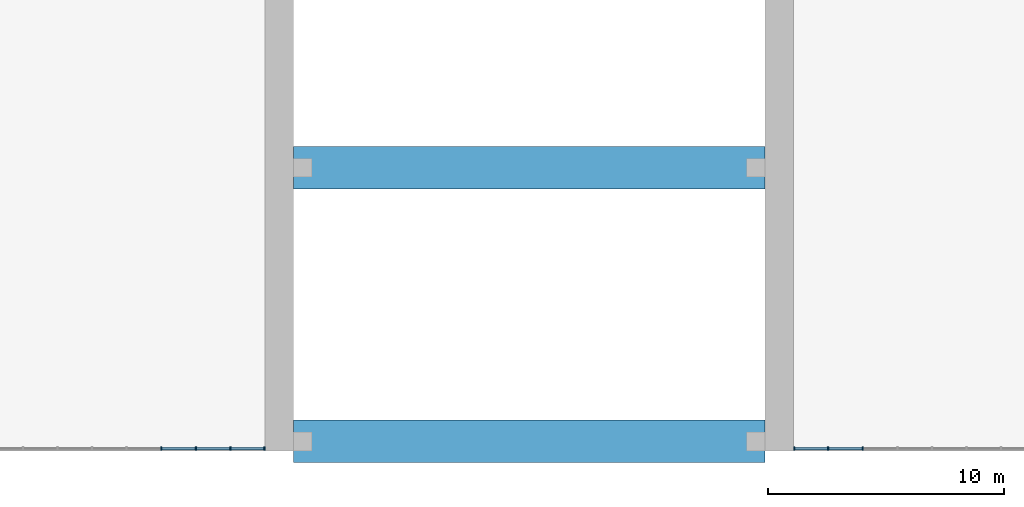
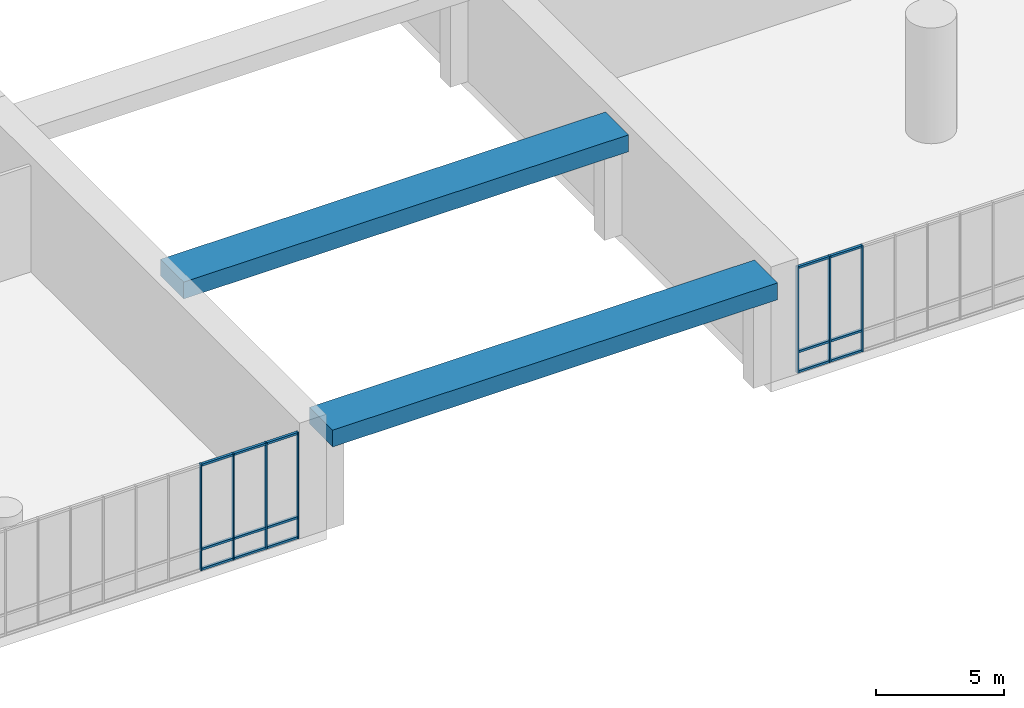
# One storey, part 6 of 30: 22 members, 2 beams, 2 elements without a shape of their own.
"""IFC4 building model written with IfcOpenShell, lengths in metres."""

from ifc_helpers import new_model, si_unit, direction, frame, origin, origin_2d, place, context, subcontext, project, spatial, rectangle, extrude, material, layer, layer_set, material_profile, profile_set, type_object, element, aggregate, save


model = new_model("IFC4")

# Units and contexts
model_context = context("Model", 3, precision=1e-05, world=origin(), true_north=direction((0.0, 1.0)))
body_context = subcontext(model_context, "Body", "Model", "MODEL_VIEW")
ifc_project = project(units=[si_unit("LENGTHUNIT", "METRE"), si_unit("AREAUNIT", "SQUARE_METRE"), si_unit("VOLUMEUNIT", "CUBIC_METRE"), si_unit("PLANEANGLEUNIT", "RADIAN"), si_unit("MASSUNIT", "GRAM", prefix="KILO")], contexts=[model_context])

# Site, building, storey
site_placement = place(None, origin())
site = spatial("IfcSite", under=ifc_project, at=site_placement, CompositionType="ELEMENT")
building_placement = place(site_placement, origin())
building = spatial("IfcBuilding", under=site, at=building_placement, Name="Torana Hotel and Residences", CompositionType="ELEMENT")
storey_placement = place(building_placement, frame((0.0, 0.0, 12.5)))
storey = spatial("IfcBuildingStorey", under=building, at=storey_placement, Name="L02", CompositionType="ELEMENT", Elevation=12.5)

# Beams
ifc_material_1 = material(Name="Concrete C60/75", Category="concrete")
ifc_material_profile_1 = material_profile(ifc_material_1, rectangle(XDim=1.800048828125, YDim=0.800048828125, at=origin_2d()), Name="RC 1800x800")
ifc_profile_set_1 = profile_set([ifc_material_profile_1], Name="Concrete C60/75")
beam_type = type_object("IfcBeamType", Name="ARCH BEAM RC 1800x800 C60/75", PredefinedType="BEAM", material=ifc_profile_set_1)
for number, where, z_axis, x_axis, name in (
    (1, (-10.0, -39.60009765625, 4.64990234375), (1.0, 0.0, 0.0), (0.0, 1.0, 0.0), "Arch beam 1"),
    (2, (-10.0, -28.0, 4.64990234375), (1.0, 0.0, 0.0), (0.0, 1.0, 0.0), "Arch beam 2"),
):
    element("IfcBeam", number, at=place(storey_placement, frame(where, z_axis=z_axis, x_axis=x_axis)), inside=storey, type_object=beam_type, Name=name, PredefinedType="BEAM", context=body_context, shape_type="SweptSolid", body=[
        extrude(rectangle(XDim=1.800048828125, YDim=0.800048828125, at=origin_2d()), origin(), (0.0, 0.0, 1.0), 20.0),
    ])

# Curtain wall, members
ifc_material_2 = material(Name="Dark anodised aluminium", Category="aluminium")
ifc_layer = layer(ifc_material_2, 0.14990234375)
ifc_layer_set = layer_set([ifc_layer], Name="CW5 PODIUM UPPER UNITISED CURTAIN WALL")
curtain_wall_type = type_object("IfcCurtainWallType", Name="CW5 PODIUM UPPER UNITISED CURTAIN WALL", PredefinedType="NOTDEFINED", material=ifc_layer_set)
curtain_wall_1_placement = place(storey_placement, origin())
curtain_wall_1 = element("IfcCurtainWall", 3, at=curtain_wall_1_placement, inside=storey, type_object=curtain_wall_type, Name="Curtain wall CW5 L02 e0.0", PredefinedType="NOTDEFINED")
ifc_material_3 = material(Name="Dark anodised aluminium", Category="aluminium")
ifc_material_profile_2 = material_profile(ifc_material_3, rectangle(XDim=0.14990234375, YDim=0.06005859375, at=origin_2d()), Name="CW5 MULLION 60x150")
ifc_profile_set_2 = profile_set([ifc_material_profile_2], Name="Dark anodised aluminium")
member_type_1 = type_object("IfcMemberType", Name="CW5 MULLION 60x150", PredefinedType="MULLION", material=ifc_profile_set_2)
member_1_placement = place(storey_placement, frame((-15.596435546875, -39.89990234375, 0.0), z_axis=(0.0, 0.0, 1.0), x_axis=(0.0, 1.0, 0.0)))
member_1 = element("IfcMember", 4, at=member_1_placement, type_object=member_type_1, Name="CW5 mullion 19", PredefinedType="MULLION", context=body_context, shape_type="SweptSolid", body=[
    extrude(rectangle(XDim=0.14990234375, YDim=0.06005859375, at=origin_2d()), origin(), (0.0, 0.0, 1.0), 5.050048828125),
])
member_2_placement = place(storey_placement, frame((-14.131103515625, -39.89990234375, 0.0), z_axis=(0.0, 0.0, 1.0), x_axis=(0.0, 1.0, 0.0)))
member_2 = element("IfcMember", 5, at=member_2_placement, type_object=member_type_1, Name="CW5 mullion 20", PredefinedType="MULLION", context=body_context, shape_type="SweptSolid", body=[
    extrude(rectangle(XDim=0.14990234375, YDim=0.06005859375, at=origin_2d()), origin(), (0.0, 0.0, 1.0), 5.050048828125),
])
member_3_placement = place(storey_placement, frame((-12.66552734375, -39.89990234375, 0.0), z_axis=(0.0, 0.0, 1.0), x_axis=(0.0, 1.0, 0.0)))
member_3 = element("IfcMember", 6, at=member_3_placement, type_object=member_type_1, Name="CW5 mullion 21", PredefinedType="MULLION", context=body_context, shape_type="SweptSolid", body=[
    extrude(rectangle(XDim=0.14990234375, YDim=0.06005859375, at=origin_2d()), origin(), (0.0, 0.0, 1.0), 5.050048828125),
])
member_4_placement = place(storey_placement, frame((-11.22998046875, -39.89990234375, 0.0), z_axis=(0.0, 0.0, 1.0), x_axis=(0.0, 1.0, 0.0)))
member_4 = element("IfcMember", 7, at=member_4_placement, type_object=member_type_1, Name="CW5 mullion 22", PredefinedType="MULLION", context=body_context, shape_type="SweptSolid", body=[
    extrude(rectangle(XDim=0.14990234375, YDim=0.06005859375, at=origin_2d()), origin(), (0.0, 0.0, 1.0), 5.050048828125),
])

curtain_wall_2_placement = place(storey_placement, origin())
curtain_wall_2 = element("IfcCurtainWall", 8, at=curtain_wall_2_placement, inside=storey, type_object=curtain_wall_type, Name="Curtain wall CW5 L02 e1.0", PredefinedType="NOTDEFINED")
member_5_placement = place(storey_placement, frame((11.22998046875, -39.89990234375, 0.0), z_axis=(0.0, 0.0, 1.0), x_axis=(0.0, 1.0, 0.0)))
member_5 = element("IfcMember", 9, at=member_5_placement, type_object=member_type_1, Name="CW5 mullion 1", PredefinedType="MULLION", context=body_context, shape_type="SweptSolid", body=[
    extrude(rectangle(XDim=0.14990234375, YDim=0.06005859375, at=origin_2d()), origin(), (0.0, 0.0, 1.0), 5.050048828125),
])
member_6_placement = place(storey_placement, frame((12.66552734375, -39.89990234375, 0.0), z_axis=(0.0, 0.0, 1.0), x_axis=(0.0, 1.0, 0.0)))
member_6 = element("IfcMember", 10, at=member_6_placement, type_object=member_type_1, Name="CW5 mullion 2", PredefinedType="MULLION", context=body_context, shape_type="SweptSolid", body=[
    extrude(rectangle(XDim=0.14990234375, YDim=0.06005859375, at=origin_2d()), origin(), (0.0, 0.0, 1.0), 5.050048828125),
])
member_7_placement = place(storey_placement, frame((14.131103515625, -39.89990234375, 0.0), z_axis=(0.0, 0.0, 1.0), x_axis=(0.0, 1.0, 0.0)))
member_7 = element("IfcMember", 11, at=member_7_placement, type_object=member_type_1, Name="CW5 mullion 3", PredefinedType="MULLION", context=body_context, shape_type="SweptSolid", body=[
    extrude(rectangle(XDim=0.14990234375, YDim=0.06005859375, at=origin_2d()), origin(), (0.0, 0.0, 1.0), 5.050048828125),
])

# Member
ifc_material_4 = material(Name="Dark anodised aluminium", Category="aluminium")
ifc_material_profile_3 = material_profile(ifc_material_4, rectangle(XDim=0.1201171875, YDim=0.10009765625, at=origin_2d()), Name="CW5 TRANSOM 120x100")
ifc_profile_set_3 = profile_set([ifc_material_profile_3], Name="Dark anodised aluminium")
member_type_2 = type_object("IfcMemberType", Name="CW5 TRANSOM 120x100", PredefinedType="USERDEFINED", material=ifc_profile_set_3)
member_8_placement = place(storey_placement, frame((-15.56640625, -39.89990234375, 0.050048828125), z_axis=(1.0, 0.0, 0.0), x_axis=(0.0, 1.0, 0.0)))
member_8 = element("IfcMember", 12, at=member_8_placement, type_object=member_type_2, Name="CW5 transom 19.1", ObjectType="TRANSOM", PredefinedType="USERDEFINED", context=body_context, shape_type="SweptSolid", body=[
    extrude(rectangle(XDim=0.1201171875, YDim=0.10009765625, at=origin_2d()), origin(), (0.0, 0.0, 1.0), 1.405517578125),
])

member_9_placement = place(storey_placement, frame((-15.56640625, -39.89990234375, 1.0), z_axis=(1.0, 0.0, 0.0), x_axis=(0.0, 1.0, 0.0)))
member_9 = element("IfcMember", 13, at=member_9_placement, type_object=member_type_2, Name="CW5 transom 19.2", ObjectType="TRANSOM", PredefinedType="USERDEFINED", context=body_context, shape_type="SweptSolid", body=[
    extrude(rectangle(XDim=0.1201171875, YDim=0.10009765625, at=origin_2d()), origin(), (0.0, 0.0, 1.0), 1.405517578125),
])

member_10_placement = place(storey_placement, frame((-15.56640625, -39.89990234375, 5.0), z_axis=(1.0, 0.0, 0.0), x_axis=(0.0, 1.0, 0.0)))
member_10 = element("IfcMember", 14, at=member_10_placement, type_object=member_type_2, Name="CW5 transom 19.3", ObjectType="TRANSOM", PredefinedType="USERDEFINED", context=body_context, shape_type="SweptSolid", body=[
    extrude(rectangle(XDim=0.1201171875, YDim=0.10009765625, at=origin_2d()), origin(), (0.0, 0.0, 1.0), 1.405517578125),
])

member_11_placement = place(storey_placement, frame((-14.10107421875, -39.89990234375, 0.050048828125), z_axis=(1.0, 0.0, 0.0), x_axis=(0.0, 1.0, 0.0)))
member_11 = element("IfcMember", 15, at=member_11_placement, type_object=member_type_2, Name="CW5 transom 20.1", ObjectType="TRANSOM", PredefinedType="USERDEFINED", context=body_context, shape_type="SweptSolid", body=[
    extrude(rectangle(XDim=0.1201171875, YDim=0.10009765625, at=origin_2d()), origin(), (0.0, 0.0, 1.0), 1.405517578125),
])

member_12_placement = place(storey_placement, frame((-14.10107421875, -39.89990234375, 1.0), z_axis=(1.0, 0.0, 0.0), x_axis=(0.0, 1.0, 0.0)))
member_12 = element("IfcMember", 16, at=member_12_placement, type_object=member_type_2, Name="CW5 transom 20.2", ObjectType="TRANSOM", PredefinedType="USERDEFINED", context=body_context, shape_type="SweptSolid", body=[
    extrude(rectangle(XDim=0.1201171875, YDim=0.10009765625, at=origin_2d()), origin(), (0.0, 0.0, 1.0), 1.405517578125),
])

member_13_placement = place(storey_placement, frame((-14.10107421875, -39.89990234375, 5.0), z_axis=(1.0, 0.0, 0.0), x_axis=(0.0, 1.0, 0.0)))
member_13 = element("IfcMember", 17, at=member_13_placement, type_object=member_type_2, Name="CW5 transom 20.3", ObjectType="TRANSOM", PredefinedType="USERDEFINED", context=body_context, shape_type="SweptSolid", body=[
    extrude(rectangle(XDim=0.1201171875, YDim=0.10009765625, at=origin_2d()), origin(), (0.0, 0.0, 1.0), 1.405517578125),
])

member_14_placement = place(storey_placement, frame((-12.635498046875, -39.89990234375, 0.050048828125), z_axis=(1.0, 0.0, 0.0), x_axis=(0.0, 1.0, 0.0)))
member_14 = element("IfcMember", 18, at=member_14_placement, type_object=member_type_2, Name="CW5 transom 21.1", ObjectType="TRANSOM", PredefinedType="USERDEFINED", context=body_context, shape_type="SweptSolid", body=[
    extrude(rectangle(XDim=0.1201171875, YDim=0.10009765625, at=origin_2d()), origin(), (0.0, 0.0, 1.0), 1.37548828125),
])

member_15_placement = place(storey_placement, frame((-12.635498046875, -39.89990234375, 1.0), z_axis=(1.0, 0.0, 0.0), x_axis=(0.0, 1.0, 0.0)))
member_15 = element("IfcMember", 19, at=member_15_placement, type_object=member_type_2, Name="CW5 transom 21.2", ObjectType="TRANSOM", PredefinedType="USERDEFINED", context=body_context, shape_type="SweptSolid", body=[
    extrude(rectangle(XDim=0.1201171875, YDim=0.10009765625, at=origin_2d()), origin(), (0.0, 0.0, 1.0), 1.37548828125),
])

member_16_placement = place(storey_placement, frame((-12.635498046875, -39.89990234375, 5.0), z_axis=(1.0, 0.0, 0.0), x_axis=(0.0, 1.0, 0.0)))
member_16 = element("IfcMember", 20, at=member_16_placement, type_object=member_type_2, Name="CW5 transom 21.3", ObjectType="TRANSOM", PredefinedType="USERDEFINED", context=body_context, shape_type="SweptSolid", body=[
    extrude(rectangle(XDim=0.1201171875, YDim=0.10009765625, at=origin_2d()), origin(), (0.0, 0.0, 1.0), 1.37548828125),
])

aggregate(curtain_wall_1, [member_1, member_2, member_3, member_4, member_8, member_9, member_10, member_11, member_12, member_13, member_14, member_15, member_16])

member_17_placement = place(storey_placement, frame((11.260009765625, -39.89990234375, 0.050048828125), z_axis=(1.0, 0.0, 0.0), x_axis=(0.0, 1.0, 0.0)))
member_17 = element("IfcMember", 21, at=member_17_placement, type_object=member_type_2, Name="CW5 transom 1.1", ObjectType="TRANSOM", PredefinedType="USERDEFINED", context=body_context, shape_type="SweptSolid", body=[
    extrude(rectangle(XDim=0.1201171875, YDim=0.10009765625, at=origin_2d()), origin(), (0.0, 0.0, 1.0), 1.37548828125),
])

member_18_placement = place(storey_placement, frame((11.260009765625, -39.89990234375, 1.0), z_axis=(1.0, 0.0, 0.0), x_axis=(0.0, 1.0, 0.0)))
member_18 = element("IfcMember", 22, at=member_18_placement, type_object=member_type_2, Name="CW5 transom 1.2", ObjectType="TRANSOM", PredefinedType="USERDEFINED", context=body_context, shape_type="SweptSolid", body=[
    extrude(rectangle(XDim=0.1201171875, YDim=0.10009765625, at=origin_2d()), origin(), (0.0, 0.0, 1.0), 1.37548828125),
])

member_19_placement = place(storey_placement, frame((11.260009765625, -39.89990234375, 5.0), z_axis=(1.0, 0.0, 0.0), x_axis=(0.0, 1.0, 0.0)))
member_19 = element("IfcMember", 23, at=member_19_placement, type_object=member_type_2, Name="CW5 transom 1.3", ObjectType="TRANSOM", PredefinedType="USERDEFINED", context=body_context, shape_type="SweptSolid", body=[
    extrude(rectangle(XDim=0.1201171875, YDim=0.10009765625, at=origin_2d()), origin(), (0.0, 0.0, 1.0), 1.37548828125),
])

member_20_placement = place(storey_placement, frame((12.695556640625, -39.89990234375, 0.050048828125), z_axis=(1.0, 0.0, 0.0), x_axis=(0.0, 1.0, 0.0)))
member_20 = element("IfcMember", 24, at=member_20_placement, type_object=member_type_2, Name="CW5 transom 2.1", ObjectType="TRANSOM", PredefinedType="USERDEFINED", context=body_context, shape_type="SweptSolid", body=[
    extrude(rectangle(XDim=0.1201171875, YDim=0.10009765625, at=origin_2d()), origin(), (0.0, 0.0, 1.0), 1.405517578125),
])

member_21_placement = place(storey_placement, frame((12.695556640625, -39.89990234375, 1.0), z_axis=(1.0, 0.0, 0.0), x_axis=(0.0, 1.0, 0.0)))
member_21 = element("IfcMember", 25, at=member_21_placement, type_object=member_type_2, Name="CW5 transom 2.2", ObjectType="TRANSOM", PredefinedType="USERDEFINED", context=body_context, shape_type="SweptSolid", body=[
    extrude(rectangle(XDim=0.1201171875, YDim=0.10009765625, at=origin_2d()), origin(), (0.0, 0.0, 1.0), 1.405517578125),
])

member_22_placement = place(storey_placement, frame((12.695556640625, -39.89990234375, 5.0), z_axis=(1.0, 0.0, 0.0), x_axis=(0.0, 1.0, 0.0)))
member_22 = element("IfcMember", 26, at=member_22_placement, type_object=member_type_2, Name="CW5 transom 2.3", ObjectType="TRANSOM", PredefinedType="USERDEFINED", context=body_context, shape_type="SweptSolid", body=[
    extrude(rectangle(XDim=0.1201171875, YDim=0.10009765625, at=origin_2d()), origin(), (0.0, 0.0, 1.0), 1.405517578125),
])

aggregate(curtain_wall_2, [member_5, member_6, member_7, member_17, member_18, member_19, member_20, member_21, member_22])

save(model, "model.ifc")
